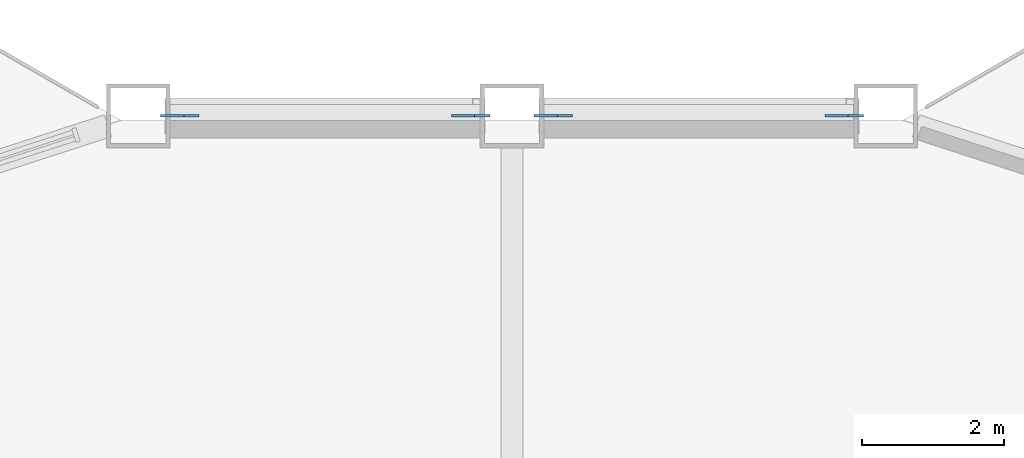
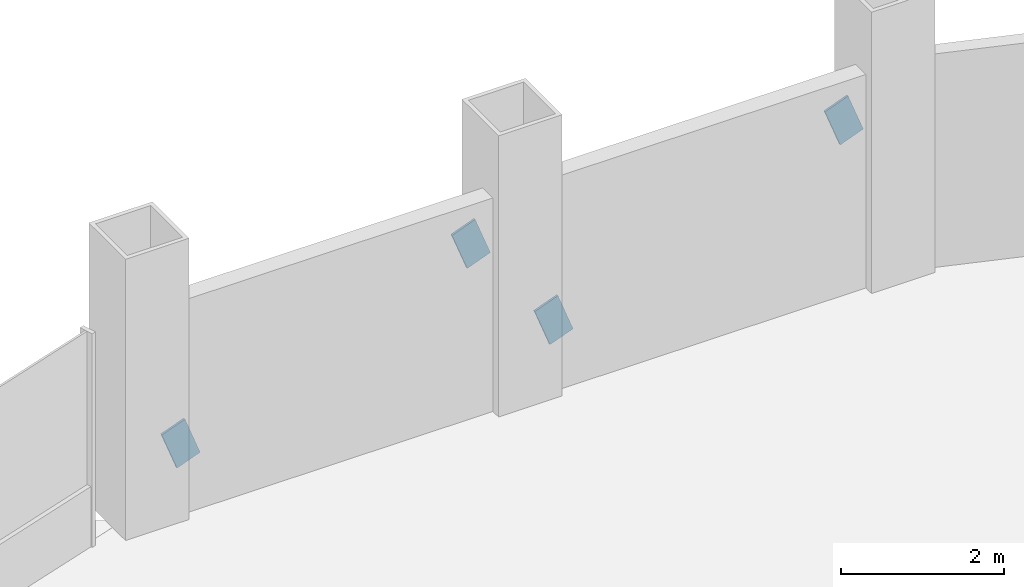
# One storey, part 16 of 21: 4 discrete accessories.
"""IFC4 building model written with IfcOpenShell, lengths in metres."""

import ifcopenshell
import ifcopenshell.guid

model = None  # the IFC model being written
_history = None  # IfcOwnerHistory: only IFC2X3 demands one
_inside = {}  # id of a spatial element -> (the spatial element, [elements in it])
_under = {}  # id of a project, library or spatial element -> (it, [spatial elements below it])
_declared = {}  # id of a project -> (the project, [libraries it declares])
_typed = {}  # id of a type object -> (the type object, [elements of that type])
_made_of = {}  # id of a material, layer set ... -> (it, [elements and type objects made of it])


def new_model(schema):
    """Start an empty IFC model of exactly this schema.

    Asked for "IFC4X3", IfcOpenShell would pick the latest addendum, in which some entities
    have other attributes; the version numbers below select the first issue.
    IFC2X3 requires an IfcOwnerHistory on every rooted entity: one is made here for all.
    """
    global model, _history
    if schema == "IFC4X3":
        model = ifcopenshell.file(schema_version=(4, 3, 0, 0))
    else:
        model = ifcopenshell.file(schema=schema)
    _inside.clear()
    _under.clear()
    _declared.clear()
    _typed.clear()
    _made_of.clear()
    _history = None
    if model.schema == "IFC2X3":
        org = make("IfcOrganization", Name="unknown")
        user = make(
            "IfcPersonAndOrganization",
            ThePerson=make("IfcPerson", FamilyName="unknown"),
            TheOrganization=org,
        )
        app = make(
            "IfcApplication",
            ApplicationDeveloper=org,
            Version="unknown",
            ApplicationFullName="unknown",
            ApplicationIdentifier="unknown",
        )
        _history = make(
            "IfcOwnerHistory",
            OwningUser=user,
            OwningApplication=app,
            ChangeAction="ADDED",
            CreationDate=0,
        )
    return model


def make(cls, **values):
    """One entity of the class cls with the attributes given. An attribute that is None is left unset."""
    return model.create_entity(
        cls, **{name: value for name, value in values.items() if value is not None}
    )


def rooted(cls, **values):
    """An entity with a GlobalId (a new one), such as an element, a storey or a relation."""
    return make(cls, GlobalId=ifcopenshell.guid.new(), OwnerHistory=_history, **values)


def si_unit(unit_type, name, prefix=None):
    """IfcSIUnit, for example si_unit("LENGTHUNIT", "METRE", prefix="MILLI")."""
    return make("IfcSIUnit", UnitType=unit_type, Prefix=prefix, Name=name)


def assignment(units):
    """IfcUnitAssignment: the units of a project."""
    return None if units is None else make("IfcUnitAssignment", Units=units)


def point(xyz):
    """IfcCartesianPoint."""
    return None if xyz is None else make("IfcCartesianPoint", Coordinates=xyz)


def direction(xyz):
    """IfcDirection."""
    return None if xyz is None else make("IfcDirection", DirectionRatios=xyz)


def frame(location, z_axis=None, x_axis=None):
    """IfcAxis2Placement3D, a coordinate frame: its origin and axes. An axis left out is left unset."""
    return make(
        "IfcAxis2Placement3D",
        Location=point(location),
        Axis=direction(z_axis),
        RefDirection=direction(x_axis),
    )


def frame_2d(location, x_axis=None):
    """IfcAxis2Placement2D, a coordinate frame in the plane: its origin and x axis."""
    return make(
        "IfcAxis2Placement2D", Location=point(location), RefDirection=direction(x_axis)
    )


def origin():
    """The frame at (0, 0, 0) with its axes left unset."""
    return frame((0.0, 0.0, 0.0))


def origin_2d():
    """The frame at (0, 0) in the plane with its x axis left unset."""
    return frame_2d((0.0, 0.0))


def place(relative_to, where):
    """IfcLocalPlacement: puts the frame where relative to a parent placement (None: the world)."""
    return make(
        "IfcLocalPlacement", PlacementRelTo=relative_to, RelativePlacement=where
    )


def context(
    kind, dimensions, precision=None, world=None, true_north=None, identifier=None
):
    """IfcGeometricRepresentationContext, for example the 3D "Model" context."""
    return make(
        "IfcGeometricRepresentationContext",
        ContextIdentifier=identifier,
        ContextType=kind,
        CoordinateSpaceDimension=dimensions,
        Precision=precision,
        WorldCoordinateSystem=world,
        TrueNorth=true_north,
    )


def subcontext(parent, identifier, kind, view, scale=None):
    """IfcGeometricRepresentationSubContext, for example "Body" below "Model"."""
    return make(
        "IfcGeometricRepresentationSubContext",
        ContextIdentifier=identifier,
        ContextType=kind,
        ParentContext=parent,
        TargetScale=scale,
        TargetView=view,
    )


def project(units=None, contexts=None):
    """IfcProject with its units and contexts."""
    return rooted(
        "IfcProject",
        Name="project",
        RepresentationContexts=contexts,
        UnitsInContext=assignment(units),
    )


def spatial(cls, under=None, at=None, **own):
    """A site, building, storey or space (cls), placed at a placement, below another one or the project."""
    s = rooted(cls, ObjectPlacement=at, **own)
    if under is not None:
        _under.setdefault(under.id(), (under, []))[1].append(s)
    return s


def profile(cls, at=None, kind="AREA", **sizes):
    """A parametric profile (cls). Its sizes go by their IFC names, for example OverallWidth=200.0."""
    return make(cls, ProfileType=kind, Position=at, **sizes)


def rectangle(**sizes):
    """IfcRectangleProfileDef."""
    return profile("IfcRectangleProfileDef", **sizes)


def extrude(swept, where, along, depth):
    """IfcExtrudedAreaSolid: the profile swept, set in the frame where, extruded along a direction by depth."""
    return make(
        "IfcExtrudedAreaSolid",
        SweptArea=swept,
        Position=where,
        ExtrudedDirection=direction(along),
        Depth=depth,
    )


def shape(context_of_items, identifier, shape_type, items):
    """IfcShapeRepresentation: the items that make up one representation, for example the "Body"."""
    return make(
        "IfcShapeRepresentation",
        ContextOfItems=context_of_items,
        RepresentationIdentifier=identifier,
        RepresentationType=shape_type,
        Items=items,
    )


def material(Name=None, Category=None):
    """IfcMaterial."""
    return make("IfcMaterial", Name=Name, Category=Category)


def material_profile(
    of_material, cross_section, Name=None, Category=None, Priority=None
):
    """IfcMaterialProfile: a cross section and its material."""
    return make(
        "IfcMaterialProfile",
        Name=Name,
        Material=of_material,
        Profile=cross_section,
        Priority=Priority,
        Category=Category,
    )


def profile_set(profiles, Name=None, composite=None):
    """IfcMaterialProfileSet."""
    return make(
        "IfcMaterialProfileSet",
        Name=Name,
        MaterialProfiles=profiles,
        CompositeProfile=composite,
    )


def made_of(thing, what):
    """Note that an element or type object is made of a material, layer set ...; save() writes the relation."""
    if what is not None:
        _made_of.setdefault(what.id(), (what, []))[1].append(thing)
    return thing


def type_object(cls, material=None, **own):
    """A type object (cls), such as IfcWallType, which elements share."""
    return made_of(rooted(cls, **own), material)


def element(
    cls,
    number,
    at=None,
    inside=None,
    cuts=None,
    type_object=None,
    material=None,
    context=None,
    identifier="Body",
    shape_type=None,
    held_by="IfcProductDefinitionShape",
    body=None,
    shapes=None,
    **own,
):
    """One element of the class cls, such as IfcWall. Its Tag is "e" and its number.

    at: its placement. inside: the storey or other place that contains it. cuts: it is an
    opening in that element (IfcRelVoidsElement). A single representation is given by context,
    identifier, shape_type and body (its items); several are given by shapes. held_by: the class
    of the entity that holds the representations. save() writes the other relations.
    """
    e = rooted(cls, Tag="e%d" % number, ObjectPlacement=at, **own)
    if body is not None:
        shapes = [shape(context, identifier, shape_type, body)]
    if shapes is not None:
        e.Representation = make(held_by, Representations=shapes)
    if inside is not None:
        _inside.setdefault(inside.id(), (inside, []))[1].append(e)
    if cuts is not None:
        rooted(
            "IfcRelVoidsElement", RelatingBuildingElement=cuts, RelatedOpeningElement=e
        )
    if type_object is not None:
        _typed.setdefault(type_object.id(), (type_object, []))[1].append(e)
    return made_of(e, material)


def aggregate(whole, parts):
    """IfcRelAggregates: a whole, such as a stair, and the parts it consists of."""
    return rooted("IfcRelAggregates", RelatingObject=whole, RelatedObjects=parts)


def save(model, path):
    """Write the relations noted so far, then the file.

    IfcRelAggregates (storeys below a building ...), IfcRelContainedInSpatialStructure (elements
    in a storey), IfcRelDefinesByType, IfcRelAssociatesMaterial and IfcRelDeclares: one each for
    every whole, place, type object, material and project.
    """
    for whole, parts in _under.values():
        aggregate(whole, parts)
    for where, things in _inside.values():
        rooted(
            "IfcRelContainedInSpatialStructure",
            RelatedElements=things,
            RelatingStructure=where,
        )
    for kind, things in _typed.values():
        rooted("IfcRelDefinesByType", RelatedObjects=things, RelatingType=kind)
    for what, things in _made_of.values():
        rooted("IfcRelAssociatesMaterial", RelatedObjects=things, RelatingMaterial=what)
    for by, libraries in _declared.values():
        rooted("IfcRelDeclares", RelatingContext=by, RelatedDefinitions=libraries)
    model.write(path)


model = new_model("IFC4")

# Units and contexts
model_context = context("Model", 3, precision=1e-05, world=origin(), true_north=direction((0.0, 1.0)))
body_context = subcontext(model_context, "Body", "Model", "MODEL_VIEW")
ifc_project = project(units=[si_unit("LENGTHUNIT", "METRE"), si_unit("AREAUNIT", "SQUARE_METRE"), si_unit("VOLUMEUNIT", "CUBIC_METRE"), si_unit("PLANEANGLEUNIT", "RADIAN"), si_unit("MASSUNIT", "GRAM", prefix="KILO")], contexts=[model_context])

# Site, building, storey
site_placement = place(None, origin())
site = spatial("IfcSite", under=ifc_project, at=site_placement, CompositionType="ELEMENT")
building_placement = place(site_placement, origin())
building = spatial("IfcBuilding", under=site, at=building_placement, Name="Cormorant Prow Tower", CompositionType="ELEMENT")
storey_placement = place(building_placement, frame((0.0, 0.0, 137.39990234375)))
storey = spatial("IfcBuildingStorey", under=building, at=storey_placement, Name="L29", CompositionType="ELEMENT", Elevation=137.39990234375)

# Discrete accessories
ifc_material = material(Name="Structural steel ASTM A500 Gr C", Category="steel")
ifc_material_profile = material_profile(ifc_material, rectangle(XDim=0.031982421875, YDim=0.60791015625, at=origin_2d()), Name="Gusset plate 32x608")
ifc_profile_set = profile_set([ifc_material_profile], Name="Structural steel ASTM A500 Gr C")
discrete_accessory_type = type_object("IfcDiscreteAccessoryType", Name="Gusset plate 32x608", PredefinedType="BRACKET", material=ifc_profile_set)
for number, where, z_axis, x_axis, name in (
    (1, (0.74853515625, 32.487060546875, 0.882568359375), (-0.935697286394, 0.0, -0.35280389487), (0.0, -1.0, 0.0), "Gusset plate GP1 L29.N00.g0"),
    (2, (4.521240234375, 32.487060546875, 2.306396484375), (0.935379822228, 0.0, 0.353644720261), (0.0, 1.0, 0.0), "Gusset plate GP1 L29.N00.g1"),
):
    element("IfcDiscreteAccessory", number, at=place(storey_placement, frame(where, z_axis=z_axis, x_axis=x_axis)), inside=storey, type_object=discrete_accessory_type, Name=name, PredefinedType="BRACKET", context=body_context, shape_type="SweptSolid", body=[
        extrude(rectangle(XDim=0.031982421875, YDim=0.60791015625, at=origin_2d()), origin(), (0.0, 0.0, 1.0), 0.35009765625),
    ])
discrete_accessory_1_placement = place(storey_placement, frame((-4.521240234375, 32.487060546875, 0.882568359375), z_axis=(-0.935610415408, 0.0, -0.353034205963), x_axis=(0.0, -1.0, 0.0)))
element("IfcDiscreteAccessory", 3, at=discrete_accessory_1_placement, inside=storey, type_object=discrete_accessory_type, Name="Gusset plate GP1 L29.N01.g0", PredefinedType="BRACKET", context=body_context, shape_type="SweptSolid", body=[
    extrude(rectangle(XDim=0.031982421875, YDim=0.60791015625, at=origin_2d()), origin(), (0.0, 0.0, 1.0), 0.349853515625),
])
discrete_accessory_2_placement = place(storey_placement, frame((-0.74853515625, 32.487060546875, 2.306396484375), z_axis=(0.935466972489, 0.0, 0.35341412448), x_axis=(0.0, 1.0, 0.0)))
element("IfcDiscreteAccessory", 4, at=discrete_accessory_2_placement, inside=storey, type_object=discrete_accessory_type, Name="Gusset plate GP1 L29.N01.g1", PredefinedType="BRACKET", context=body_context, shape_type="SweptSolid", body=[
    extrude(rectangle(XDim=0.031982421875, YDim=0.60791015625, at=origin_2d()), origin(), (0.0, 0.0, 1.0), 0.350341796875),
])

save(model, "model.ifc")
